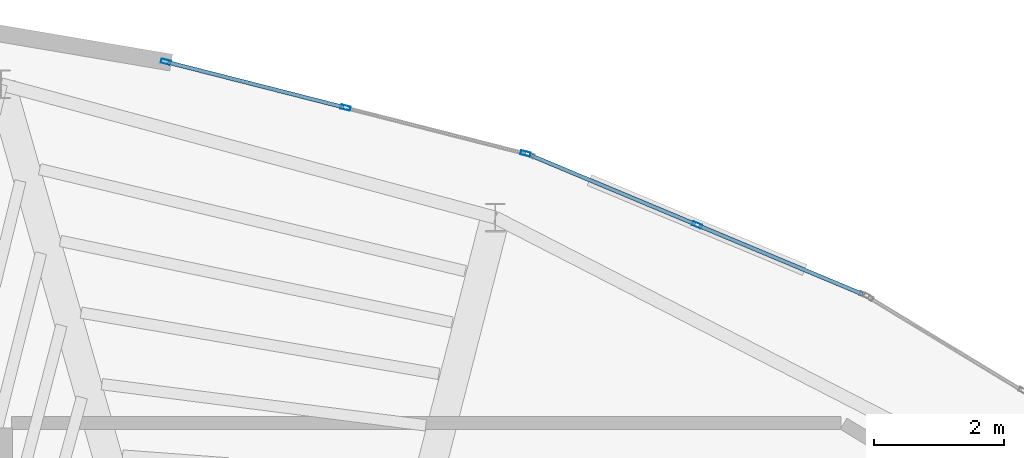
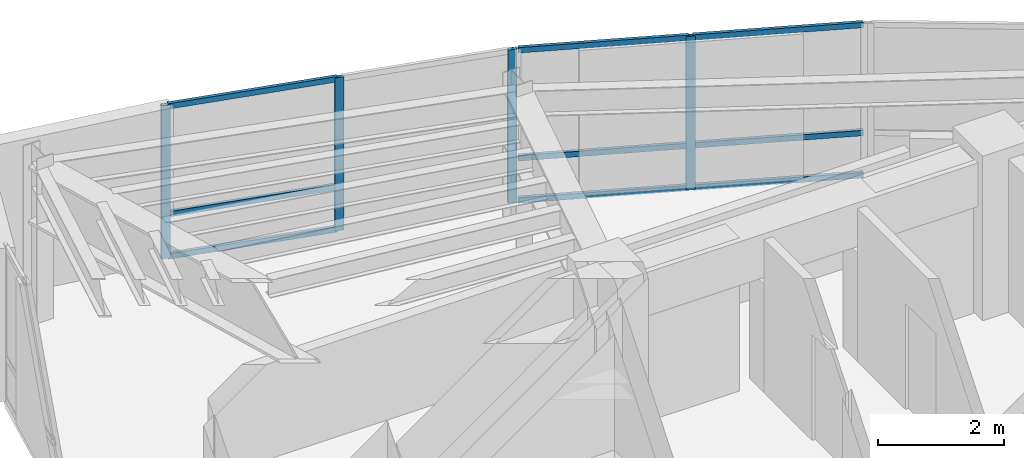
# One storey, part 9 of 14: 13 members, 2 elements without a shape of their own.
"""IFC4 building model written with IfcOpenShell, lengths in metres."""

from ifc_helpers import new_model, si_unit, direction, frame, origin, origin_2d, place, context, subcontext, project, spatial, hollow_rectangle, extrude, material, layer, layer_set, material_profile, profile_set, type_object, element, aggregate, save


model = new_model("IFC4")

# Units and contexts
model_context = context("Model", 3, precision=1e-05, world=origin(), true_north=direction((0.0, 1.0)))
body_context = subcontext(model_context, "Body", "Model", "MODEL_VIEW")
ifc_project = project(units=[si_unit("LENGTHUNIT", "METRE"), si_unit("AREAUNIT", "SQUARE_METRE"), si_unit("VOLUMEUNIT", "CUBIC_METRE"), si_unit("PLANEANGLEUNIT", "RADIAN"), si_unit("MASSUNIT", "GRAM", prefix="KILO")], contexts=[model_context])

# Site, building, storey
site_placement = place(None, origin())
site = spatial("IfcSite", under=ifc_project, at=site_placement, CompositionType="ELEMENT")
building_placement = place(site_placement, origin())
building = spatial("IfcBuilding", under=site, at=building_placement, Name="Menara Vayukalpa", CompositionType="ELEMENT")
storey_placement = place(building_placement, frame((0.0, 0.0, 312.02001953125)))
storey = spatial("IfcBuildingStorey", under=building, at=storey_placement, Name="L80", CompositionType="ELEMENT", Elevation=312.02001953125)

# Curtain wall, member
ifc_material_1 = material(Name="Anodised Terracotta Aluminium Alloy 6063-T6", Category="masonry")
ifc_layer = layer(ifc_material_1, 0.14990234375)
ifc_layer_set = layer_set([ifc_layer], Name="Anodised Terracotta Aluminium Alloy 6063-T6")
curtain_wall_type = type_object("IfcCurtainWallType", Name="CW-CW7", PredefinedType="USERDEFINED", material=ifc_layer_set)
curtain_wall_1_placement = place(storey_placement, origin())
curtain_wall_1 = element("IfcCurtainWall", 1, at=curtain_wall_1_placement, inside=storey, type_object=curtain_wall_type, Name="L80 Crown Drum Screened Curtain Wall CW7 05", ObjectType="UNITISED", PredefinedType="USERDEFINED")
ifc_material_2 = material(Name="Anodised Terracotta Aluminium Alloy 6063-T6", Category="masonry")
ifc_material_profile_1 = material_profile(ifc_material_2, hollow_rectangle(XDim=0.06494140625, YDim=0.14990234375, WallThickness=0.00341796875, at=origin_2d()), Name="ALU 65x150x3.5")
ifc_profile_set_1 = profile_set([ifc_material_profile_1], Name="Anodised Terracotta Aluminium Alloy 6063-T6")
member_type_1 = type_object("IfcMemberType", Name="CWM-CW7", PredefinedType="MULLION", material=ifc_profile_set_1)
member_1_placement = place(storey_placement, frame((26.48583984375, 31.83544921875, 0.0), z_axis=(0.0, 0.0, 1.0), x_axis=(-0.385898361946, -0.922541302191, 0.0)))
member_1 = element("IfcMember", 2, at=member_1_placement, type_object=member_type_1, Name="CW7 mullion 2", PredefinedType="MULLION", context=body_context, shape_type="SweptSolid", body=[
    extrude(hollow_rectangle(XDim=0.06494140625, YDim=0.14990234375, WallThickness=0.00341796875, at=origin_2d()), origin(), (0.0, 0.0, 1.0), 2.97998046875),
])

# Curtain wall, members
curtain_wall_2_placement = place(storey_placement, origin())
curtain_wall_2 = element("IfcCurtainWall", 3, at=curtain_wall_2_placement, inside=storey, type_object=curtain_wall_type, Name="L80 Crown Drum Screened Curtain Wall CW7 06", ObjectType="UNITISED", PredefinedType="USERDEFINED")
member_2_placement = place(storey_placement, frame((23.83837890625, 32.937744140625, 0.0), z_axis=(0.0, 0.0, 1.0), x_axis=(-0.247123764219, -0.968983924097, 0.0)))
member_2 = element("IfcMember", 4, at=member_2_placement, type_object=member_type_1, Name="CW7 mullion 1", PredefinedType="MULLION", context=body_context, shape_type="SweptSolid", body=[
    extrude(hollow_rectangle(XDim=0.06494140625, YDim=0.14990234375, WallThickness=0.00341796875, at=origin_2d()), origin(), (0.0, 0.0, 1.0), 2.97998046875),
])
member_3_placement = place(storey_placement, frame((21.0615234375, 33.645751953125, 0.0), z_axis=(0.0, 0.0, 1.0), x_axis=(-0.247123764219, -0.968983924097, 0.0)))
member_3 = element("IfcMember", 5, at=member_3_placement, type_object=member_type_1, Name="CW7 mullion 2", PredefinedType="MULLION", context=body_context, shape_type="SweptSolid", body=[
    extrude(hollow_rectangle(XDim=0.06494140625, YDim=0.14990234375, WallThickness=0.00341796875, at=origin_2d()), origin(), (0.0, 0.0, 1.0), 2.97998046875),
])
member_4_placement = place(storey_placement, frame((18.284423828125, 34.35400390625, 0.0), z_axis=(0.0, 0.0, 1.0), x_axis=(-0.247123764219, -0.968983924097, 0.0)))
member_4 = element("IfcMember", 6, at=member_4_placement, type_object=member_type_1, Name="CW7 mullion 3", PredefinedType="MULLION", context=body_context, shape_type="SweptSolid", body=[
    extrude(hollow_rectangle(XDim=0.06494140625, YDim=0.14990234375, WallThickness=0.00341796875, at=origin_2d()), origin(), (0.0, 0.0, 1.0), 2.97998046875),
])

# Member
ifc_material_3 = material(Name="Anodised Terracotta Aluminium Alloy 6063-T6", Category="masonry")
ifc_material_profile_2 = material_profile(ifc_material_3, hollow_rectangle(XDim=0.06005859375, YDim=0.10498046875, WallThickness=0.0029296875, at=origin_2d()), Name="ALU 60x105x3")
ifc_profile_set_2 = profile_set([ifc_material_profile_2], Name="Anodised Terracotta Aluminium Alloy 6063-T6")
member_type_2 = type_object("IfcMemberType", Name="CWT-CW7", PredefinedType="USERDEFINED", material=ifc_profile_set_2)
member_5_placement = place(storey_placement, frame((29.041748046875, 30.76611328125, 0.030029296875), z_axis=(-0.922532551431, 0.385919281132, 0.0), x_axis=(-0.385919281132, -0.922532551431, 0.0)))
member_5 = element("IfcMember", 7, at=member_5_placement, type_object=member_type_2, Name="CW7 transom 1.1", ObjectType="TRANSOM", PredefinedType="USERDEFINED", context=body_context, shape_type="SweptSolid", body=[
    extrude(hollow_rectangle(XDim=0.06005859375, YDim=0.10498046875, WallThickness=0.0029296875, at=origin_2d()), origin(), (0.0, 0.0, 1.0), 2.738037109375),
])

member_6_placement = place(storey_placement, frame((29.041748046875, 30.76611328125, 0.85009765625), z_axis=(-0.922532551431, 0.385919281132, 0.0), x_axis=(-0.385919281132, -0.922532551431, 0.0)))
member_6 = element("IfcMember", 8, at=member_6_placement, type_object=member_type_2, Name="CW7 transom 1.2", ObjectType="TRANSOM", PredefinedType="USERDEFINED", context=body_context, shape_type="SweptSolid", body=[
    extrude(hollow_rectangle(XDim=0.06005859375, YDim=0.10498046875, WallThickness=0.0029296875, at=origin_2d()), origin(), (0.0, 0.0, 1.0), 2.738037109375),
])

member_7_placement = place(storey_placement, frame((29.041748046875, 30.76611328125, 2.949951171875), z_axis=(-0.922532551431, 0.385919281132, 0.0), x_axis=(-0.385919281132, -0.922532551431, 0.0)))
member_7 = element("IfcMember", 9, at=member_7_placement, type_object=member_type_2, Name="CW7 transom 1.3", ObjectType="TRANSOM", PredefinedType="USERDEFINED", context=body_context, shape_type="SweptSolid", body=[
    extrude(hollow_rectangle(XDim=0.06005859375, YDim=0.10498046875, WallThickness=0.0029296875, at=origin_2d()), origin(), (0.0, 0.0, 1.0), 2.738037109375),
])

member_8_placement = place(storey_placement, frame((26.455810546875, 31.847900390625, 0.030029296875), z_axis=(-0.922532551431, 0.385919281132, 0.0), x_axis=(-0.385919281132, -0.922532551431, 0.0)))
member_8 = element("IfcMember", 10, at=member_8_placement, type_object=member_type_2, Name="CW7 transom 2.1", ObjectType="TRANSOM", PredefinedType="USERDEFINED", context=body_context, shape_type="SweptSolid", body=[
    extrude(hollow_rectangle(XDim=0.06005859375, YDim=0.10498046875, WallThickness=0.0029296875, at=origin_2d()), origin(), (0.0, 0.0, 1.0), 2.738037109375),
])

member_9_placement = place(storey_placement, frame((26.455810546875, 31.847900390625, 0.85009765625), z_axis=(-0.922532551431, 0.385919281132, 0.0), x_axis=(-0.385919281132, -0.922532551431, 0.0)))
member_9 = element("IfcMember", 11, at=member_9_placement, type_object=member_type_2, Name="CW7 transom 2.2", ObjectType="TRANSOM", PredefinedType="USERDEFINED", context=body_context, shape_type="SweptSolid", body=[
    extrude(hollow_rectangle(XDim=0.06005859375, YDim=0.10498046875, WallThickness=0.0029296875, at=origin_2d()), origin(), (0.0, 0.0, 1.0), 2.738037109375),
])

member_10_placement = place(storey_placement, frame((26.455810546875, 31.847900390625, 2.949951171875), z_axis=(-0.922532551431, 0.385919281132, 0.0), x_axis=(-0.385919281132, -0.922532551431, 0.0)))
member_10 = element("IfcMember", 12, at=member_10_placement, type_object=member_type_2, Name="CW7 transom 2.3", ObjectType="TRANSOM", PredefinedType="USERDEFINED", context=body_context, shape_type="SweptSolid", body=[
    extrude(hollow_rectangle(XDim=0.06005859375, YDim=0.10498046875, WallThickness=0.0029296875, at=origin_2d()), origin(), (0.0, 0.0, 1.0), 2.738037109375),
])

aggregate(curtain_wall_1, [member_1, member_5, member_6, member_7, member_8, member_9, member_10])

member_11_placement = place(storey_placement, frame((21.030029296875, 33.65380859375, 0.030029296875), z_axis=(-0.968988349591, 0.247106411, 0.0), x_axis=(-0.247106411, -0.968988349591, 0.0)))
member_11 = element("IfcMember", 13, at=member_11_placement, type_object=member_type_2, Name="CW7 transom 2.1", ObjectType="TRANSOM", PredefinedType="USERDEFINED", context=body_context, shape_type="SweptSolid", body=[
    extrude(hollow_rectangle(XDim=0.06005859375, YDim=0.10498046875, WallThickness=0.0029296875, at=origin_2d()), origin(), (0.0, 0.0, 1.0), 2.801025390625),
])

member_12_placement = place(storey_placement, frame((21.030029296875, 33.65380859375, 0.85009765625), z_axis=(-0.968988349591, 0.247106411, 0.0), x_axis=(-0.247106411, -0.968988349591, 0.0)))
member_12 = element("IfcMember", 14, at=member_12_placement, type_object=member_type_2, Name="CW7 transom 2.2", ObjectType="TRANSOM", PredefinedType="USERDEFINED", context=body_context, shape_type="SweptSolid", body=[
    extrude(hollow_rectangle(XDim=0.06005859375, YDim=0.10498046875, WallThickness=0.0029296875, at=origin_2d()), origin(), (0.0, 0.0, 1.0), 2.801025390625),
])

member_13_placement = place(storey_placement, frame((21.030029296875, 33.65380859375, 2.949951171875), z_axis=(-0.968988349591, 0.247106411, 0.0), x_axis=(-0.247106411, -0.968988349591, 0.0)))
member_13 = element("IfcMember", 15, at=member_13_placement, type_object=member_type_2, Name="CW7 transom 2.3", ObjectType="TRANSOM", PredefinedType="USERDEFINED", context=body_context, shape_type="SweptSolid", body=[
    extrude(hollow_rectangle(XDim=0.06005859375, YDim=0.10498046875, WallThickness=0.0029296875, at=origin_2d()), origin(), (0.0, 0.0, 1.0), 2.801025390625),
])

aggregate(curtain_wall_2, [member_2, member_3, member_4, member_11, member_12, member_13])

save(model, "model.ifc")
